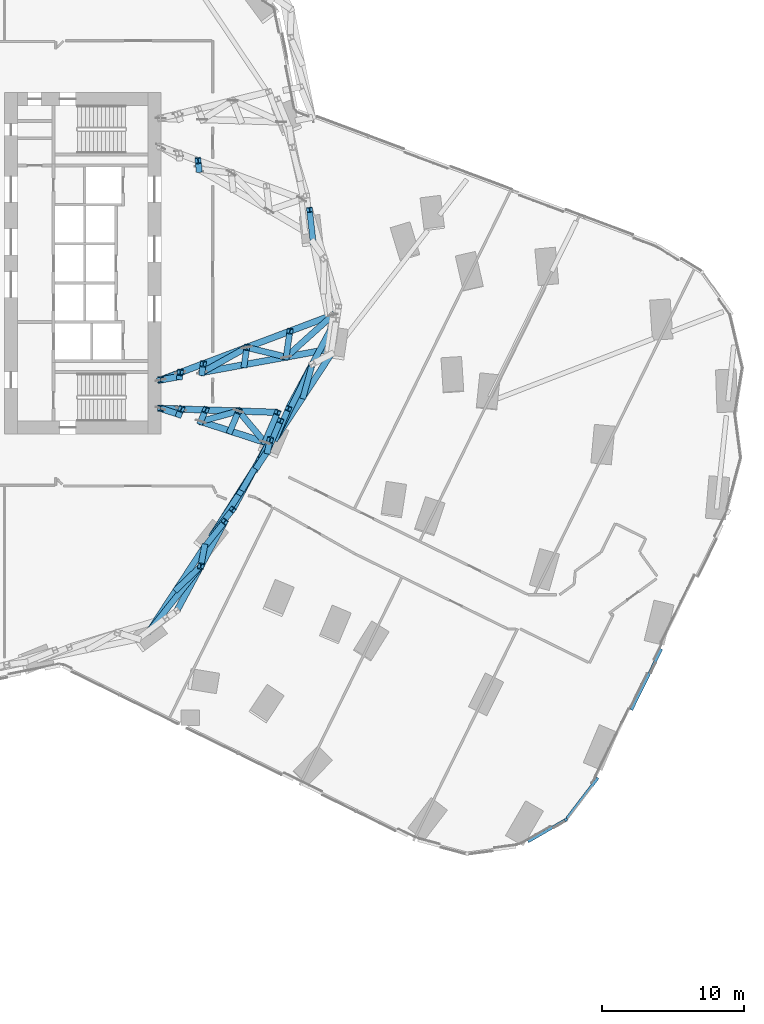
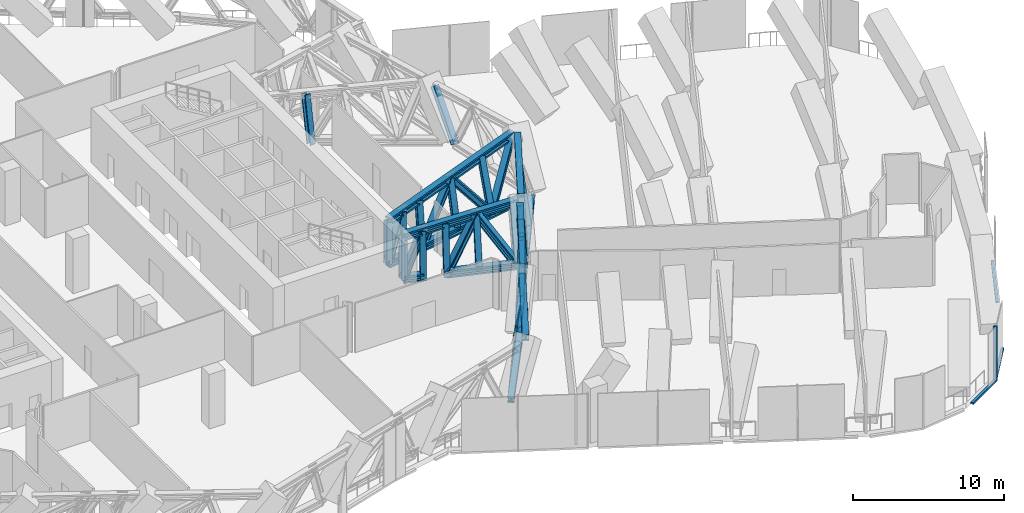
# One storey, part 10 of 34: 51 members, 3 elements without a shape of their own.
"""IFC4 building model written with IfcOpenShell, lengths in metres."""

from ifc_helpers import new_model, si_unit, direction, frame, origin, origin_2d, place, context, subcontext, project, spatial, rectangle, i_section, extrude, material, material_profile, profile_set, type_object, element, aggregate, save


model = new_model("IFC4")

# Units and contexts
model_context = context("Model", 3, precision=1e-05, world=origin(), true_north=direction((0.0, 1.0)))
body_context = subcontext(model_context, "Body", "Model", "MODEL_VIEW")
ifc_project = project(units=[si_unit("LENGTHUNIT", "METRE"), si_unit("AREAUNIT", "SQUARE_METRE"), si_unit("VOLUMEUNIT", "CUBIC_METRE"), si_unit("PLANEANGLEUNIT", "RADIAN"), si_unit("MASSUNIT", "GRAM", prefix="KILO")], contexts=[model_context])

# Site, building, storey
site_placement = place(None, origin())
site = spatial("IfcSite", under=ifc_project, at=site_placement, CompositionType="ELEMENT")
building_placement = place(site_placement, origin())
building = spatial("IfcBuilding", under=site, at=building_placement, Name="Orlundy Tower", CompositionType="ELEMENT")
storey_placement = place(building_placement, frame((0.0, 0.0, 76.300048828125)))
storey = spatial("IfcBuildingStorey", under=building, at=storey_placement, Name="L18", CompositionType="ELEMENT", Elevation=76.300048828125)

# Members
ifc_material_1 = material(Name="Steel ASTM A992 Gr 50", Category="steel")
ifc_material_profile_1 = material_profile(ifc_material_1, i_section(OverallWidth=0.4423828125, OverallDepth=0.531494140625, WebThickness=0.06591796875, FlangeThickness=0.105712890625, at=origin_2d()), Name="W14X605")
ifc_profile_set_1 = profile_set([ifc_material_profile_1], Name="Steel ASTM A992 Gr 50")
member_type_1 = type_object("IfcMemberType", Name="BELT TRUSS chord W14X605", PredefinedType="CHORD", material=ifc_profile_set_1)
member_1_placement = place(storey_placement, frame((18.159912109375, -25.88818359375, 0.28466796875), z_axis=(0.549062632346, 0.835781206873, 0.0), x_axis=(-0.835781206873, 0.549062632346, 0.0)))
element("IfcMember", 1, at=member_1_placement, inside=storey, type_object=member_type_1, Name="Belt truss bottom chord BT-09", PredefinedType="CHORD", context=body_context, shape_type="SweptSolid", body=[
    extrude(i_section(OverallWidth=0.4423828125, OverallDepth=0.531494140625, WebThickness=0.06591796875, FlangeThickness=0.105712890625, at=origin_2d()), origin(), (0.0, 0.0, 1.0), 7.1015625),
])
member_2_placement = place(storey_placement, frame((20.126953125, -24.42333984375, 3.715087890625), z_axis=(0.473392438271, 0.880851633016, 0.0), x_axis=(-0.880851633016, 0.473392438271, 0.0)))
element("IfcMember", 2, at=member_2_placement, inside=storey, type_object=member_type_1, Name="Belt truss top chord BT-09", PredefinedType="CHORD", context=body_context, shape_type="SweptSolid", body=[
    extrude(i_section(OverallWidth=0.4423828125, OverallDepth=0.531494140625, WebThickness=0.06591796875, FlangeThickness=0.105712890625, at=origin_2d()), origin(), (0.0, 0.0, 1.0), 7.10205078125),
])
member_3_placement = place(storey_placement, frame((22.6162109375, -19.1044921875, 0.28466796875), z_axis=(0.549027481455, 0.835804298031, 0.0), x_axis=(-0.835804298031, 0.549027481455, 0.0)))
element("IfcMember", 3, at=member_3_placement, inside=storey, type_object=member_type_1, Name="Belt truss bottom chord BT-10", PredefinedType="CHORD", context=body_context, shape_type="SweptSolid", body=[
    extrude(i_section(OverallWidth=0.4423828125, OverallDepth=0.531494140625, WebThickness=0.06591796875, FlangeThickness=0.105712890625, at=origin_2d()), origin(), (0.0, 0.0, 1.0), 3.951904296875),
])
member_4_placement = place(storey_placement, frame((25.664306640625, -14.464111328125, 0.28466796875), z_axis=(0.548794140102, 0.835957529896, 0.0), x_axis=(-0.835957529896, 0.548794140102, 0.0)))
element("IfcMember", 4, at=member_4_placement, inside=storey, type_object=member_type_1, Name="Belt truss bottom chord BT-102", PredefinedType="CHORD", context=body_context, shape_type="SweptSolid", body=[
    extrude(i_section(OverallWidth=0.4423828125, OverallDepth=0.531494140625, WebThickness=0.06591796875, FlangeThickness=0.105712890625, at=origin_2d()), origin(), (0.0, 0.0, 1.0), 1.549072265625),
])
member_5_placement = place(storey_placement, frame((24.046142578125, -17.319091796875, 3.715087890625), z_axis=(0.473257073823, 0.880924367966, 0.0), x_axis=(-0.880924367966, 0.473257073823, 0.0)))
element("IfcMember", 5, at=member_5_placement, inside=storey, type_object=member_type_1, Name="Belt truss top chord BT-10", PredefinedType="CHORD", context=body_context, shape_type="SweptSolid", body=[
    extrude(i_section(OverallWidth=0.4423828125, OverallDepth=0.531494140625, WebThickness=0.06591796875, FlangeThickness=0.105712890625, at=origin_2d()), origin(), (0.0, 0.0, 1.0), 7.10205078125),
])
member_6_placement = place(storey_placement, frame((27.07177734375, -12.321044921875, 0.28466796875), z_axis=(0.549062632346, 0.835781206873, 0.0), x_axis=(-0.835781206873, 0.549062632346, 0.0)))
element("IfcMember", 6, at=member_6_placement, inside=storey, type_object=member_type_1, Name="Belt truss bottom chord BT-11", PredefinedType="CHORD", context=body_context, shape_type="SweptSolid", body=[
    extrude(i_section(OverallWidth=0.4423828125, OverallDepth=0.531494140625, WebThickness=0.06591796875, FlangeThickness=0.105712890625, at=origin_2d()), origin(), (0.0, 0.0, 1.0), 7.1015625),
])
member_7_placement = place(storey_placement, frame((27.964599609375, -10.21435546875, 3.715087890625), z_axis=(0.473365765265, 0.880865967259, 0.0), x_axis=(-0.880865967259, 0.473365765265, 0.0)))
element("IfcMember", 7, at=member_7_placement, inside=storey, type_object=member_type_1, Name="Belt truss top chord BT-11", PredefinedType="CHORD", context=body_context, shape_type="SweptSolid", body=[
    extrude(i_section(OverallWidth=0.4423828125, OverallDepth=0.531494140625, WebThickness=0.06591796875, FlangeThickness=0.105712890625, at=origin_2d()), origin(), (0.0, 0.0, 1.0), 7.10205078125),
])
ifc_material_2 = material(Name="Steel ASTM A992 Gr 50", Category="steel")
ifc_material_profile_2 = material_profile(ifc_material_2, i_section(OverallWidth=0.42431640625, OverallDepth=0.47412109375, WebThickness=0.0478515625, FlangeThickness=0.0771484375, at=origin_2d()), Name="W14X426")
ifc_profile_set_2 = profile_set([ifc_material_profile_2], Name="Steel ASTM A992 Gr 50")
member_type_2 = type_object("IfcMemberType", Name="BELT TRUSS diagonal W14X426", PredefinedType="BRACE", material=ifc_profile_set_2)
member_8_placement = place(storey_placement, frame((18.159912109375, -25.88818359375, 0.28466796875), z_axis=(0.536901714446, 0.6759148131, 0.504852170895), x_axis=(-0.783028564462, 0.621985745203, 0.0)))
element("IfcMember", 8, at=member_8_placement, inside=storey, type_object=member_type_2, Name="Belt truss diagonal BT-09-0", PredefinedType="BRACE", context=body_context, shape_type="SweptSolid", body=[
    extrude(i_section(OverallWidth=0.42431640625, OverallDepth=0.47412109375, WebThickness=0.0478515625, FlangeThickness=0.0771484375, at=origin_2d()), origin(), (0.0, 0.0, 1.0), 6.794921875),
])
member_9_placement = place(storey_placement, frame((21.80810546875, -21.29541015625, 3.715087890625), z_axis=(0.06797277191, 0.36360143262, -0.929071418393), x_axis=(-0.982971202837, 0.18375966476, 0.0)))
element("IfcMember", 9, at=member_9_placement, inside=storey, type_object=member_type_2, Name="Belt truss diagonal BT-09-1", PredefinedType="BRACE", context=body_context, shape_type="SweptSolid", body=[
    extrude(i_section(OverallWidth=0.42431640625, OverallDepth=0.47412109375, WebThickness=0.0478515625, FlangeThickness=0.0771484375, at=origin_2d()), origin(), (0.0, 0.0, 1.0), 3.6923828125),
])
member_10_placement = place(storey_placement, frame((22.6162109375, -19.1044921875, 0.28466796875), z_axis=(0.4607061642, 0.727742897786, 0.508074900964), x_axis=(-0.844922798643, 0.534888272757, 0.0)))
element("IfcMember", 10, at=member_10_placement, inside=storey, type_object=member_type_2, Name="Belt truss diagonal BT-10-0", PredefinedType="BRACE", context=body_context, shape_type="SweptSolid", body=[
    extrude(i_section(OverallWidth=0.42431640625, OverallDepth=0.47412109375, WebThickness=0.0478515625, FlangeThickness=0.0771484375, at=origin_2d()), origin(), (0.0, 0.0, 1.0), 6.751708984375),
])
member_11_placement = place(storey_placement, frame((25.726806640625, -14.19091796875, 3.715087890625), z_axis=(-0.240967109398, -0.412470166242, -0.878523314516), x_axis=(0.863451165734, -0.504432437887, 0.0)))
element("IfcMember", 11, at=member_11_placement, inside=storey, type_object=member_type_2, Name="Belt truss diagonal BT-10-1", PredefinedType="BRACE", context=body_context, shape_type="SweptSolid", body=[
    extrude(i_section(OverallWidth=0.42431640625, OverallDepth=0.47412109375, WebThickness=0.0478515625, FlangeThickness=0.0771484375, at=origin_2d()), origin(), (0.0, 0.0, 1.0), 3.90478515625),
])
member_12_placement = place(storey_placement, frame((26.674072265625, -12.427490234375, 3.715087890625), z_axis=(-0.045446509394, -0.211110849447, -0.976405051211), x_axis=(0.977604194078, -0.210451989113, 0.0)))
element("IfcMember", 12, at=member_12_placement, inside=storey, type_object=member_type_2, Name="Belt truss diagonal BT-10-3", PredefinedType="BRACE", context=body_context, shape_type="SweptSolid", body=[
    extrude(i_section(OverallWidth=0.42431640625, OverallDepth=0.47412109375, WebThickness=0.0478515625, FlangeThickness=0.0771484375, at=origin_2d()), origin(), (0.0, 0.0, 1.0), 3.513427734375),
])
member_13_placement = place(storey_placement, frame((27.07177734375, -12.321044921875, 0.28466796875), z_axis=(0.380332124112, 0.773544021351, 0.506929109837), x_axis=(-0.897395610552, 0.441226833004, 0.0)))
element("IfcMember", 13, at=member_13_placement, inside=storey, type_object=member_type_2, Name="Belt truss diagonal BT-11-0", PredefinedType="BRACE", context=body_context, shape_type="SweptSolid", body=[
    extrude(i_section(OverallWidth=0.42431640625, OverallDepth=0.47412109375, WebThickness=0.0478515625, FlangeThickness=0.0771484375, at=origin_2d()), origin(), (0.0, 0.0, 1.0), 6.76708984375),
])
ifc_material_3 = material(Name="Steel ASTM A992 Gr 50", Category="steel")
ifc_material_profile_3 = material_profile(ifc_material_3, i_section(OverallWidth=0.412109375, OverallDepth=0.434814453125, WebThickness=0.035888671875, FlangeThickness=0.057373046875, at=origin_2d()), Name="W14X311")
ifc_profile_set_3 = profile_set([ifc_material_profile_3], Name="Steel ASTM A992 Gr 50")
member_type_3 = type_object("IfcMemberType", Name="BELT TRUSS post W14X311", PredefinedType="POST", material=ifc_profile_set_3)
member_14_placement = place(storey_placement, frame((20.109619140625, -22.920654296875, 0.28466796875), z_axis=(0.408426239214, 0.390814068484, 0.824895369727), x_axis=(-0.691357039523, 0.722513282855, 0.0)))
element("IfcMember", 14, at=member_14_placement, inside=storey, type_object=member_type_3, Name="Belt truss post BT-09-1", PredefinedType="POST", context=body_context, shape_type="SweptSolid", body=[
    extrude(i_section(OverallWidth=0.412109375, OverallDepth=0.434814453125, WebThickness=0.035888671875, FlangeThickness=0.057373046875, at=origin_2d()), origin(), (0.0, 0.0, 1.0), 4.15869140625),
])
for number, where, z_axis, x_axis, name in (
    (15, (22.05908203125, -19.952880859375, 0.28466796875), (0.346807937289, 0.433021418029, 0.831995616672), (-0.780525068996, 0.625124480939, 0.0), "Belt truss post BT-09-2"),
    (16, (22.6162109375, -19.1044921875, 0.28466796875), (0.346807937289, 0.433021418029, 0.831995616672), (-0.780525068996, 0.625124480939, 0.0), "Belt truss post BT-10-0"),
):
    element("IfcMember", number, at=place(storey_placement, frame(where, z_axis=z_axis, x_axis=x_axis)), inside=storey, type_object=member_type_3, Name=name, PredefinedType="POST", context=body_context, shape_type="SweptSolid", body=[
        extrude(i_section(OverallWidth=0.412109375, OverallDepth=0.434814453125, WebThickness=0.035888671875, FlangeThickness=0.057373046875, at=origin_2d()), origin(), (0.0, 0.0, 1.0), 4.123046875),
    ])
member_15_placement = place(storey_placement, frame((24.5654296875, -16.136962890625, 0.28466796875), z_axis=(0.282476761118, 0.473328203252, 0.83436640119), x_axis=(-0.858707231057, 0.512466478251, 0.0)))
element("IfcMember", 17, at=member_15_placement, inside=storey, type_object=member_type_3, Name="Belt truss post BT-10-1", PredefinedType="POST", context=body_context, shape_type="SweptSolid", body=[
    extrude(i_section(OverallWidth=0.412109375, OverallDepth=0.434814453125, WebThickness=0.035888671875, FlangeThickness=0.057373046875, at=origin_2d()), origin(), (0.0, 0.0, 1.0), 4.111328125),
])
member_16_placement = place(storey_placement, frame((24.785888671875, -15.801513671875, 0.01904296875), z_axis=(0.260825174396, 0.453065490758, 0.852468116404), x_axis=(-0.866647860841, 0.498920319589, 0.0)))
element("IfcMember", 18, at=member_16_placement, inside=storey, type_object=member_type_3, Name="Belt truss post BT-10-2", PredefinedType="POST", context=body_context, shape_type="SweptSolid", body=[
    extrude(i_section(OverallWidth=0.412109375, OverallDepth=0.434814453125, WebThickness=0.035888671875, FlangeThickness=0.057373046875, at=origin_2d()), origin(), (0.0, 0.0, 1.0), 4.335693359375),
])
member_17_placement = place(storey_placement, frame((25.664306640625, -14.464111328125, 0.01904296875), z_axis=(0.232710606911, 0.469359739568, 0.851790589466), x_axis=(-0.895925727198, 0.444203884883, 0.0)))
element("IfcMember", 19, at=member_17_placement, inside=storey, type_object=member_type_3, Name="Belt truss post BT-10-3", PredefinedType="POST", context=body_context, shape_type="SweptSolid", body=[
    extrude(i_section(OverallWidth=0.412109375, OverallDepth=0.434814453125, WebThickness=0.035888671875, FlangeThickness=0.057373046875, at=origin_2d()), origin(), (0.0, 0.0, 1.0), 4.339111328125),
])
member_18_placement = place(storey_placement, frame((26.514404296875, -13.169189453125, 0.28466796875), z_axis=(0.216528314955, 0.510857615922, 0.83194950873), x_axis=(-0.9207107825, 0.390245634168, 0.0)))
element("IfcMember", 20, at=member_18_placement, inside=storey, type_object=member_type_3, Name="Belt truss post BT-10-4", PredefinedType="POST", context=body_context, shape_type="SweptSolid", body=[
    extrude(i_section(OverallWidth=0.412109375, OverallDepth=0.434814453125, WebThickness=0.035888671875, FlangeThickness=0.057373046875, at=origin_2d()), origin(), (0.0, 0.0, 1.0), 4.123291015625),
])
member_19_placement = place(storey_placement, frame((27.07177734375, -12.321044921875, 0.28466796875), z_axis=(0.21652176543, 0.510901371041, 0.831924344014), x_axis=(-0.920727031447, 0.390207295631, 0.0)))
element("IfcMember", 21, at=member_19_placement, inside=storey, type_object=member_type_3, Name="Belt truss post BT-11-0", PredefinedType="POST", context=body_context, shape_type="SweptSolid", body=[
    extrude(i_section(OverallWidth=0.412109375, OverallDepth=0.434814453125, WebThickness=0.035888671875, FlangeThickness=0.057373046875, at=origin_2d()), origin(), (0.0, 0.0, 1.0), 4.12353515625),
])
member_20_placement = place(storey_placement, frame((29.021240234375, -9.353271484375, 0.28466796875), z_axis=(0.150105613451, 0.545064771567, 0.824847076498), x_axis=(-0.964109096288, 0.265506403792, 0.0)))
element("IfcMember", 22, at=member_20_placement, inside=storey, type_object=member_type_3, Name="Belt truss post BT-11-1", PredefinedType="POST", context=body_context, shape_type="SweptSolid", body=[
    extrude(i_section(OverallWidth=0.412109375, OverallDepth=0.434814453125, WebThickness=0.035888671875, FlangeThickness=0.057373046875, at=origin_2d()), origin(), (0.0, 0.0, 1.0), 4.158935546875),
])
member_21_placement = place(storey_placement, frame((29.7060546875, 1.48876953125, 0.28466796875), z_axis=(-0.060864081742, 0.551565939214, 0.831907794321), x_axis=(-0.993966725917, -0.109682030297, 0.0)))
element("IfcMember", 23, at=member_21_placement, inside=storey, type_object=member_type_3, Name="Belt truss post BT-12-2", PredefinedType="POST", context=body_context, shape_type="SweptSolid", body=[
    extrude(i_section(OverallWidth=0.412109375, OverallDepth=0.434814453125, WebThickness=0.035888671875, FlangeThickness=0.057373046875, at=origin_2d()), origin(), (0.0, 0.0, 1.0), 4.12353515625),
])

# Curtain wall, member
ifc_material_4 = material(Name="Aluminium bronze anodised", Category="aluminium")
curtain_wall_type = type_object("IfcCurtainWallType", Name="CW4 wall", PredefinedType="NOTDEFINED", material=ifc_material_4)
curtain_wall_1_placement = place(storey_placement, origin())
curtain_wall_1 = element("IfcCurtainWall", 24, at=curtain_wall_1_placement, inside=storey, type_object=curtain_wall_type, Name="CW4 run 024", PredefinedType="NOTDEFINED")
ifc_material_5 = material(Name="Aluminium bronze anodised", Category="aluminium")
ifc_material_profile_4 = material_profile(ifc_material_5, rectangle(XDim=0.199951171875, YDim=0.199951171875, at=origin_2d()), Name="CW4 corner post 200x200")
ifc_profile_set_4 = profile_set([ifc_material_profile_4], Name="Aluminium bronze anodised")
member_type_4 = type_object("IfcMemberType", Name="CW4 corner post 200x200", PredefinedType="MULLION", material=ifc_profile_set_4)
member_22_placement = place(storey_placement, frame((47.484375, -39.12353515625, -0.449951171875), z_axis=(0.0, 0.0, 1.0), x_axis=(0.501302135928, -0.865272308879, 0.0)))
member_22 = element("IfcMember", 25, at=member_22_placement, type_object=member_type_4, Name="CW4 mullion 39", PredefinedType="MULLION", context=body_context, shape_type="SweptSolid", body=[
    extrude(rectangle(XDim=0.199951171875, YDim=0.199951171875, at=origin_2d()), origin(), (0.0, 0.0, 1.0), 4.449951171875),
])

curtain_wall_2_placement = place(storey_placement, origin())
curtain_wall_2 = element("IfcCurtainWall", 26, at=curtain_wall_2_placement, inside=storey, type_object=curtain_wall_type, Name="CW4 run 022", PredefinedType="NOTDEFINED")
ifc_material_6 = material(Name="Aluminium bronze anodised", Category="aluminium")
ifc_material_profile_5 = material_profile(ifc_material_6, rectangle(XDim=0.199951171875, YDim=0.14990234375, at=origin_2d()), Name="CW4 transom 200x150")
ifc_profile_set_5 = profile_set([ifc_material_profile_5], Name="Aluminium bronze anodised")
member_type_5 = type_object("IfcMemberType", Name="CW4 transom 200x150", PredefinedType="USERDEFINED", material=ifc_profile_set_5)
member_23_placement = place(storey_placement, frame((54.197021484375, -27.114990234375, -0.375), z_axis=(-0.441038034206, -0.897488413509, 0.0), x_axis=(0.897488413509, -0.441038034206, 0.0)))
member_23 = element("IfcMember", 27, at=member_23_placement, type_object=member_type_5, Name="CW4 transom", ObjectType="TRANSOM", PredefinedType="USERDEFINED", context=body_context, shape_type="SweptSolid", body=[
    extrude(rectangle(XDim=0.199951171875, YDim=0.14990234375, at=origin_2d()), origin(), (0.0, 0.0, 1.0), 4.783935546875),
])
aggregate(curtain_wall_2, [member_23])

curtain_wall_3_placement = place(storey_placement, origin())
curtain_wall_3 = element("IfcCurtainWall", 28, at=curtain_wall_3_placement, inside=storey, type_object=curtain_wall_type, Name="CW4 run 023", PredefinedType="NOTDEFINED")
member_24_placement = place(storey_placement, frame((49.736083984375, -36.179931640625, -0.375), z_axis=(-0.607583588848, -0.794255741284, 0.0), x_axis=(0.794255741284, -0.607583588848, 0.0)))
member_24 = element("IfcMember", 29, at=member_24_placement, type_object=member_type_5, Name="CW4 transom", ObjectType="TRANSOM", PredefinedType="USERDEFINED", context=body_context, shape_type="SweptSolid", body=[
    extrude(rectangle(XDim=0.199951171875, YDim=0.14990234375, at=origin_2d()), origin(), (0.0, 0.0, 1.0), 3.597900390625),
])
aggregate(curtain_wall_3, [member_24])

# Member
member_25_placement = place(storey_placement, frame((47.397705078125, -39.173583984375, -0.375), z_axis=(-0.865261917006, -0.501320072387, 0.0), x_axis=(0.501320072387, -0.865261917006, 0.0)))
member_25 = element("IfcMember", 30, at=member_25_placement, type_object=member_type_5, Name="CW4 transom", ObjectType="TRANSOM", PredefinedType="USERDEFINED", context=body_context, shape_type="SweptSolid", body=[
    extrude(rectangle(XDim=0.199951171875, YDim=0.14990234375, at=origin_2d()), origin(), (0.0, 0.0, 1.0), 2.98388671875),
])

aggregate(curtain_wall_1, [member_22, member_25])

# Members
ifc_material_7 = material(Name="Steel ASTM A992 Gr 50", Category="steel")
ifc_material_profile_6 = material_profile(ifc_material_7, i_section(OverallWidth=0.454345703125, OverallDepth=0.569580078125, WebThickness=0.077880859375, FlangeThickness=0.124755859375, at=origin_2d()), Name="W14X730")
ifc_profile_set_6 = profile_set([ifc_material_profile_6], Name="Steel ASTM A992 Gr 50")
member_type_6 = type_object("IfcMemberType", Name="OUTRIGGER TRUSS chord W14X730", PredefinedType="CHORD", material=ifc_profile_set_6)
member_26_placement = place(storey_placement, frame((18.97998046875, -10.199951171875, 0.28466796875), z_axis=(0.950807739771, -0.309781603703, 0.0), x_axis=(0.309781603703, 0.950807739771, 0.0)))
element("IfcMember", 31, at=member_26_placement, inside=storey, type_object=member_type_6, Name="Outrigger truss bottom chord OR-E-C-H05", PredefinedType="CHORD", context=body_context, shape_type="SweptSolid", body=[
    extrude(i_section(OverallWidth=0.454345703125, OverallDepth=0.569580078125, WebThickness=0.077880859375, FlangeThickness=0.124755859375, at=origin_2d()), origin(), (0.0, 0.0, 1.0), 1.364990234375),
])
member_27_placement = place(storey_placement, frame((21.79931640625, -11.118408203125, 0.28466796875), z_axis=(0.950827387532, -0.309721292648, 0.0), x_axis=(0.309721292648, 0.950827387532, 0.0)))
element("IfcMember", 32, at=member_27_placement, inside=storey, type_object=member_type_6, Name="Outrigger truss bottom chord OR-E-C-H052", PredefinedType="CHORD", context=body_context, shape_type="SweptSolid", body=[
    extrude(i_section(OverallWidth=0.454345703125, OverallDepth=0.569580078125, WebThickness=0.077880859375, FlangeThickness=0.124755859375, at=origin_2d()), origin(), (0.0, 0.0, 1.0), 4.74462890625),
])
member_28_placement = place(storey_placement, frame((18.97998046875, -10.199951171875, 3.715087890625), z_axis=(0.99941565056, -0.034181243638, 0.0), x_axis=(0.034181243638, 0.99941565056, 0.0)))
element("IfcMember", 33, at=member_28_placement, inside=storey, type_object=member_type_6, Name="Outrigger truss top chord OR-E-C-H05", PredefinedType="CHORD", context=body_context, shape_type="SweptSolid", body=[
    extrude(i_section(OverallWidth=0.454345703125, OverallDepth=0.569580078125, WebThickness=0.077880859375, FlangeThickness=0.124755859375, at=origin_2d()), origin(), (0.0, 0.0, 1.0), 8.228271484375),
])
member_29_placement = place(storey_placement, frame((18.97998046875, -8.199951171875, 0.28466796875), z_axis=(0.983769370556, 0.179437525497, 0.0), x_axis=(-0.179437525497, 0.983769370556, 0.0)))
element("IfcMember", 34, at=member_29_placement, inside=storey, type_object=member_type_6, Name="Outrigger truss bottom chord OR-E-C-H04", PredefinedType="CHORD", context=body_context, shape_type="SweptSolid", body=[
    extrude(i_section(OverallWidth=0.454345703125, OverallDepth=0.569580078125, WebThickness=0.077880859375, FlangeThickness=0.124755859375, at=origin_2d()), origin(), (0.0, 0.0, 1.0), 1.362060546875),
])
member_30_placement = place(storey_placement, frame((21.893798828125, -7.66845703125, 0.28466796875), z_axis=(0.983758206816, 0.179498720116, 0.0), x_axis=(-0.179498720116, 0.983758206816, 0.0)))
element("IfcMember", 35, at=member_30_placement, inside=storey, type_object=member_type_6, Name="Outrigger truss bottom chord OR-E-C-H042", PredefinedType="CHORD", context=body_context, shape_type="SweptSolid", body=[
    extrude(i_section(OverallWidth=0.454345703125, OverallDepth=0.569580078125, WebThickness=0.077880859375, FlangeThickness=0.124755859375, at=origin_2d()), origin(), (0.0, 0.0, 1.0), 9.002685546875),
])
member_31_placement = place(storey_placement, frame((18.97998046875, -8.199951171875, 3.715087890625), z_axis=(0.935634471822, 0.352970445135, 0.0), x_axis=(-0.352970445135, 0.935634471822, 0.0)))
element("IfcMember", 36, at=member_31_placement, inside=storey, type_object=member_type_6, Name="Outrigger truss top chord OR-E-C-H04", PredefinedType="CHORD", context=body_context, shape_type="SweptSolid", body=[
    extrude(i_section(OverallWidth=0.454345703125, OverallDepth=0.569580078125, WebThickness=0.077880859375, FlangeThickness=0.124755859375, at=origin_2d()), origin(), (0.0, 0.0, 1.0), 12.9599609375),
])
ifc_material_8 = material(Name="Steel ASTM A992 Gr 50", Category="steel")
ifc_material_profile_7 = material_profile(ifc_material_8, i_section(OverallWidth=0.43212890625, OverallDepth=0.497802734375, WebThickness=0.0556640625, FlangeThickness=0.0888671875, at=origin_2d()), Name="W14X500")
ifc_profile_set_7 = profile_set([ifc_material_profile_7], Name="Steel ASTM A992 Gr 50")
member_type_7 = type_object("IfcMemberType", Name="OUTRIGGER TRUSS diagonal W14X500", PredefinedType="BRACE", material=ifc_profile_set_7)
member_32_placement = place(storey_placement, frame((18.97998046875, -10.199951171875, 0.28466796875), z_axis=(0.390624318989, -0.013363635934, 0.920453178955), x_axis=(0.034190965098, 0.999415318026, 0.0)))
element("IfcMember", 37, at=member_32_placement, inside=storey, type_object=member_type_7, Name="Outrigger truss diagonal OR-E-C-H05-0", PredefinedType="BRACE", context=body_context, shape_type="SweptSolid", body=[
    extrude(i_section(OverallWidth=0.43212890625, OverallDepth=0.497802734375, WebThickness=0.0556640625, FlangeThickness=0.0888671875, at=origin_2d()), origin(), (0.0, 0.0, 1.0), 3.726806640625),
])
member_33_placement = place(storey_placement, frame((21.79931640625, -11.118408203125, 0.28466796875), z_axis=(0.604679220829, 0.165986026145, 0.778981180147), x_axis=(-0.264710533299, 0.964327918066, 0.0)))
element("IfcMember", 38, at=member_33_placement, inside=storey, type_object=member_type_7, Name="Outrigger truss diagonal OR-E-C-H05-2", PredefinedType="BRACE", context=body_context, shape_type="SweptSolid", body=[
    extrude(i_section(OverallWidth=0.43212890625, OverallDepth=0.497802734375, WebThickness=0.0556640625, FlangeThickness=0.0888671875, at=origin_2d()), origin(), (0.0, 0.0, 1.0), 4.40380859375),
])
member_34_placement = place(storey_placement, frame((24.462158203125, -10.387451171875, 3.715087890625), z_axis=(0.413041247688, -0.491710575276, -0.766562220482), x_axis=(0.765701517575, 0.643196071182, 0.0)))
element("IfcMember", 39, at=member_34_placement, inside=storey, type_object=member_type_7, Name="Outrigger truss diagonal OR-E-C-H05-3", PredefinedType="BRACE", context=body_context, shape_type="SweptSolid", body=[
    extrude(i_section(OverallWidth=0.43212890625, OverallDepth=0.497802734375, WebThickness=0.0556640625, FlangeThickness=0.0888671875, at=origin_2d()), origin(), (0.0, 0.0, 1.0), 4.47509765625),
])
member_35_placement = place(storey_placement, frame((18.97998046875, -8.199951171875, 0.28466796875), z_axis=(0.369654612968, 0.139454066052, 0.918644670465), x_axis=(-0.352972524755, 0.935633687277, 0.0)))
element("IfcMember", 40, at=member_35_placement, inside=storey, type_object=member_type_7, Name="Outrigger truss diagonal OR-E-C-H04-0", PredefinedType="BRACE", context=body_context, shape_type="SweptSolid", body=[
    extrude(i_section(OverallWidth=0.43212890625, OverallDepth=0.497802734375, WebThickness=0.0556640625, FlangeThickness=0.0888671875, at=origin_2d()), origin(), (0.0, 0.0, 1.0), 3.734130859375),
])
member_36_placement = place(storey_placement, frame((21.893798828125, -7.66845703125, 0.28466796875), z_axis=(0.632786661033, 0.352769120047, 0.689300362367), x_axis=(-0.486930244788, 0.873440860454, 0.0)))
element("IfcMember", 41, at=member_36_placement, inside=storey, type_object=member_type_7, Name="Outrigger truss diagonal OR-E-C-H04-2", PredefinedType="BRACE", context=body_context, shape_type="SweptSolid", body=[
    extrude(i_section(OverallWidth=0.43212890625, OverallDepth=0.497802734375, WebThickness=0.0556640625, FlangeThickness=0.0888671875, at=origin_2d()), origin(), (0.0, 0.0, 1.0), 4.9765625),
])
member_37_placement = place(storey_placement, frame((25.04296875, -5.912841796875, 3.715087890625), z_axis=(0.620227787669, -0.151825452792, -0.769588541552), x_axis=(0.237769639764, 0.971321573119, 0.0)))
element("IfcMember", 42, at=member_37_placement, inside=storey, type_object=member_type_7, Name="Outrigger truss diagonal OR-E-C-H04-3", PredefinedType="BRACE", context=body_context, shape_type="SweptSolid", body=[
    extrude(i_section(OverallWidth=0.43212890625, OverallDepth=0.497802734375, WebThickness=0.0556640625, FlangeThickness=0.0888671875, at=origin_2d()), origin(), (0.0, 0.0, 1.0), 4.45751953125),
])
member_38_placement = place(storey_placement, frame((27.8076171875, -6.589599609375, 0.28466796875), z_axis=(0.588278485403, 0.528705980552, 0.611881042149), x_axis=(-0.668444418094, 0.743762099006, 0.0)))
element("IfcMember", 43, at=member_38_placement, inside=storey, type_object=member_type_7, Name="Outrigger truss diagonal OR-E-C-H04-4", PredefinedType="BRACE", context=body_context, shape_type="SweptSolid", body=[
    extrude(i_section(OverallWidth=0.43212890625, OverallDepth=0.497802734375, WebThickness=0.0556640625, FlangeThickness=0.0888671875, at=origin_2d()), origin(), (0.0, 0.0, 1.0), 5.6064453125),
])
ifc_material_9 = material(Name="Steel ASTM A992 Gr 50", Category="steel")
ifc_material_profile_8 = material_profile(ifc_material_9, i_section(OverallWidth=0.41845703125, OverallDepth=0.455078125, WebThickness=0.0419921875, FlangeThickness=0.067626953125, at=origin_2d()), Name="W14X370")
ifc_profile_set_8 = profile_set([ifc_material_profile_8], Name="Steel ASTM A992 Gr 50")
member_type_8 = type_object("IfcMemberType", Name="OUTRIGGER TRUSS post W14X370", PredefinedType="POST", material=ifc_profile_set_8)
member_39_placement = place(storey_placement, frame((18.97998046875, -10.199951171875, 0.28466796875), z_axis=(0.0, 0.0, 1.0), x_axis=(1.0, 0.0, 0.0)))
element("IfcMember", 44, at=member_39_placement, inside=storey, type_object=member_type_8, Name="Outrigger truss post OR-E-C-H05-0", PredefinedType="POST", context=body_context, shape_type="SweptSolid", body=[
    extrude(i_section(OverallWidth=0.41845703125, OverallDepth=0.455078125, WebThickness=0.0419921875, FlangeThickness=0.067626953125, at=origin_2d()), origin(), (0.0, 0.0, 1.0), 3.430419921875),
])
member_40_placement = place(storey_placement, frame((20.27783203125, -10.622802734375, 0.0), z_axis=(0.042267681085, 0.099822282377, 0.994107114488), x_axis=(-0.920850762942, 0.389915211795, 0.0)))
element("IfcMember", 45, at=member_40_placement, inside=storey, type_object=member_type_8, Name="Outrigger truss post OR-E-C-H05-1", PredefinedType="POST", context=body_context, shape_type="SweptSolid", body=[
    extrude(i_section(OverallWidth=0.41845703125, OverallDepth=0.455078125, WebThickness=0.0419921875, FlangeThickness=0.067626953125, at=origin_2d()), origin(), (0.0, 0.0, 1.0), 3.737060546875),
])
member_41_placement = place(storey_placement, frame((21.79931640625, -11.118408203125, 0.0), z_axis=(0.08990870988, 0.212238270335, 0.973073142417), x_axis=(-0.920787189416, 0.39006531736, 0.0)))
element("IfcMember", 46, at=member_41_placement, inside=storey, type_object=member_type_8, Name="Outrigger truss post OR-E-C-H05-2", PredefinedType="POST", context=body_context, shape_type="SweptSolid", body=[
    extrude(i_section(OverallWidth=0.41845703125, OverallDepth=0.455078125, WebThickness=0.0419921875, FlangeThickness=0.067626953125, at=origin_2d()), origin(), (0.0, 0.0, 1.0), 3.81787109375),
])
member_42_placement = place(storey_placement, frame((23.866943359375, -11.7919921875, 0.28466796875), z_axis=(0.15854200289, 0.374114906737, 0.913729976457), x_axis=(-0.920735154124, 0.390188128933, 0.0)))
element("IfcMember", 47, at=member_42_placement, inside=storey, type_object=member_type_8, Name="Outrigger truss post OR-E-C-H05-3", PredefinedType="POST", context=body_context, shape_type="SweptSolid", body=[
    extrude(i_section(OverallWidth=0.41845703125, OverallDepth=0.455078125, WebThickness=0.0419921875, FlangeThickness=0.067626953125, at=origin_2d()), origin(), (0.0, 0.0, 1.0), 3.75439453125),
])
member_43_placement = place(storey_placement, frame((26.310546875, -12.587890625, 0.28466796875), z_axis=(0.21652176543, 0.510901371041, 0.831924344014), x_axis=(-0.920727031447, 0.390207295631, 0.0)))
element("IfcMember", 48, at=member_43_placement, inside=storey, type_object=member_type_8, Name="Outrigger truss post OR-E-C-H05-4", PredefinedType="POST", context=body_context, shape_type="SweptSolid", body=[
    extrude(i_section(OverallWidth=0.41845703125, OverallDepth=0.455078125, WebThickness=0.0419921875, FlangeThickness=0.067626953125, at=origin_2d()), origin(), (0.0, 0.0, 1.0), 4.12353515625),
])
member_44_placement = place(storey_placement, frame((18.97998046875, -8.199951171875, 0.28466796875), z_axis=(0.0, 0.0, 1.0), x_axis=(1.0, 0.0, 0.0)))
element("IfcMember", 49, at=member_44_placement, inside=storey, type_object=member_type_8, Name="Outrigger truss post OR-E-C-H04-0", PredefinedType="POST", context=body_context, shape_type="SweptSolid", body=[
    extrude(i_section(OverallWidth=0.41845703125, OverallDepth=0.455078125, WebThickness=0.0419921875, FlangeThickness=0.067626953125, at=origin_2d()), origin(), (0.0, 0.0, 1.0), 3.430419921875),
])
member_45_placement = place(storey_placement, frame((20.31982421875, -7.95556640625, 0.0), z_axis=(0.010878148473, 0.074181108861, 0.997185453651), x_axis=(-0.989418260518, 0.145091370359, 0.0)))
element("IfcMember", 50, at=member_45_placement, inside=storey, type_object=member_type_8, Name="Outrigger truss post OR-E-C-H04-1", PredefinedType="POST", context=body_context, shape_type="SweptSolid", body=[
    extrude(i_section(OverallWidth=0.41845703125, OverallDepth=0.455078125, WebThickness=0.0419921875, FlangeThickness=0.067626953125, at=origin_2d()), origin(), (0.0, 0.0, 1.0), 3.7255859375),
])
member_46_placement = place(storey_placement, frame((21.893798828125, -7.66845703125, 0.0), z_axis=(0.023412510534, 0.159672024753, 0.986892445438), x_axis=(-0.989420299001, 0.1450774687, 0.0)))
element("IfcMember", 51, at=member_46_placement, inside=storey, type_object=member_type_8, Name="Outrigger truss post OR-E-C-H04-2", PredefinedType="POST", context=body_context, shape_type="SweptSolid", body=[
    extrude(i_section(OverallWidth=0.41845703125, OverallDepth=0.455078125, WebThickness=0.0419921875, FlangeThickness=0.067626953125, at=origin_2d()), origin(), (0.0, 0.0, 1.0), 3.764404296875),
])
member_47_placement = place(storey_placement, frame((24.864990234375, -7.126220703125, 0.28466796875), z_axis=(0.048854385702, 0.333067622688, 0.941636451989), x_axis=(-0.989413008657, 0.145127179741, 0.0)))
element("IfcMember", 52, at=member_47_placement, inside=storey, type_object=member_type_8, Name="Outrigger truss post OR-E-C-H04-3", PredefinedType="POST", context=body_context, shape_type="SweptSolid", body=[
    extrude(i_section(OverallWidth=0.41845703125, OverallDepth=0.455078125, WebThickness=0.0419921875, FlangeThickness=0.067626953125, at=origin_2d()), origin(), (0.0, 0.0, 1.0), 3.64306640625),
])
member_48_placement = place(storey_placement, frame((27.8076171875, -6.589599609375, 0.28466796875), z_axis=(0.06848919335, 0.46763317364, 0.881265252524), x_axis=(-0.98944436323, 0.144913257061, 0.0)))
element("IfcMember", 53, at=member_48_placement, inside=storey, type_object=member_type_8, Name="Outrigger truss post OR-E-C-H04-4", PredefinedType="POST", context=body_context, shape_type="SweptSolid", body=[
    extrude(i_section(OverallWidth=0.41845703125, OverallDepth=0.455078125, WebThickness=0.0419921875, FlangeThickness=0.067626953125, at=origin_2d()), origin(), (0.0, 0.0, 1.0), 3.892578125),
])
member_49_placement = place(storey_placement, frame((21.679931640625, 6.62060546875, 0.0), z_axis=(-0.017706097985, 0.160133171885, 0.986936604527), x_axis=(-0.993942505761, -0.109901297721, 0.0)))
element("IfcMember", 54, at=member_49_placement, inside=storey, type_object=member_type_8, Name="Outrigger truss post OR-E-C-H03-2", PredefinedType="POST", context=body_context, shape_type="SweptSolid", body=[
    extrude(i_section(OverallWidth=0.41845703125, OverallDepth=0.455078125, WebThickness=0.0419921875, FlangeThickness=0.067626953125, at=origin_2d()), origin(), (0.0, 0.0, 1.0), 3.76416015625),
])

save(model, "model.ifc")
